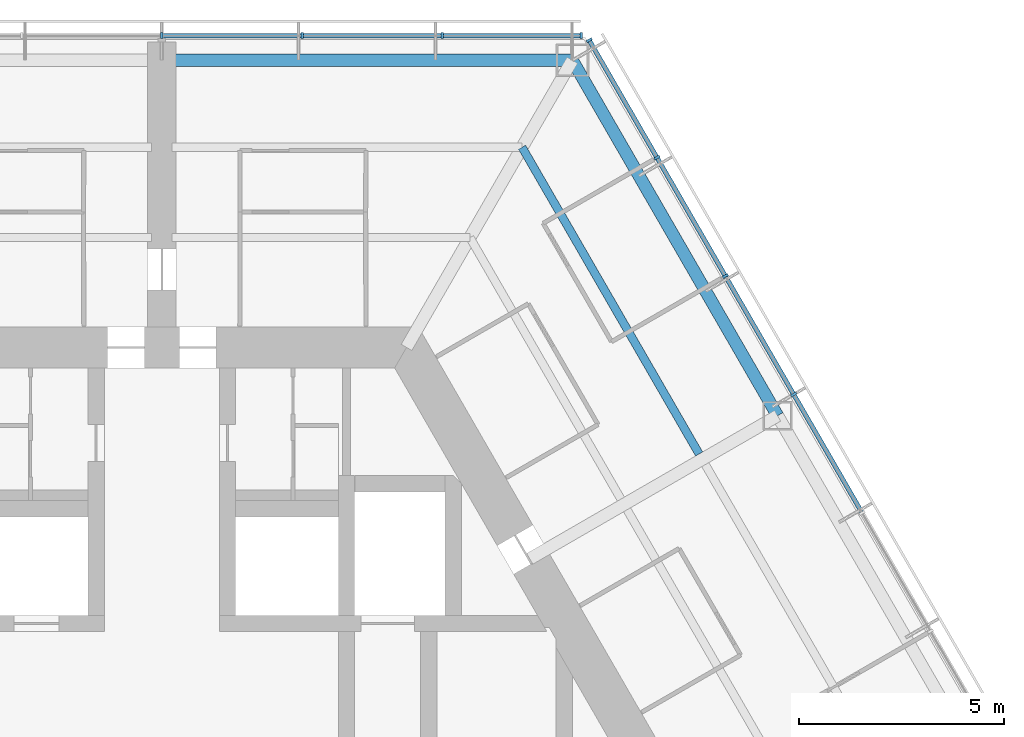
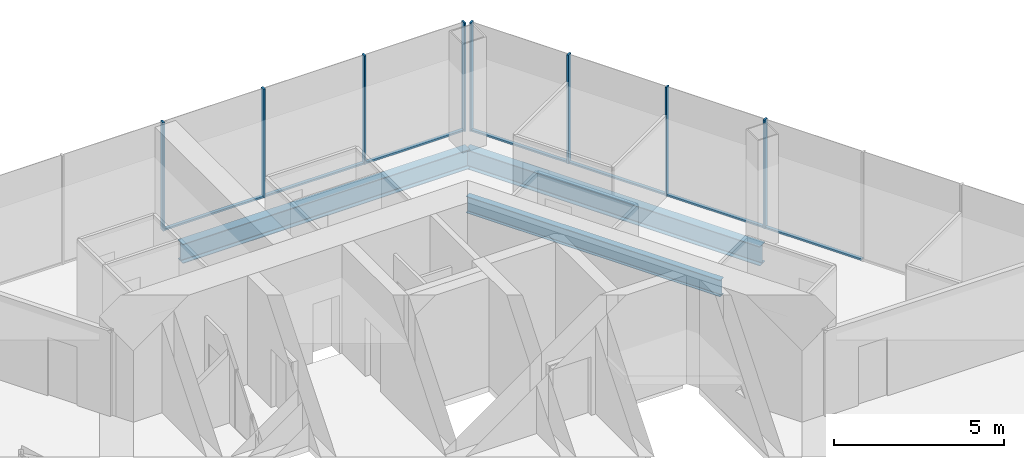
# One storey, part 8 of 19: 15 members, 3 beams, 2 elements without a shape of their own.
"""IFC4 building model written with IfcOpenShell, lengths in metres."""

from ifc_helpers import new_model, si_unit, direction, frame, origin, origin_2d, place, context, subcontext, project, spatial, rectangle, i_section, extrude, material, material_profile, profile_set, type_object, element, aggregate, save


model = new_model("IFC4")

# Units and contexts
model_context = context("Model", 3, precision=1e-05, world=origin(), true_north=direction((0.0, 1.0)))
body_context = subcontext(model_context, "Body", "Model", "MODEL_VIEW")
ifc_project = project(units=[si_unit("LENGTHUNIT", "METRE"), si_unit("AREAUNIT", "SQUARE_METRE"), si_unit("VOLUMEUNIT", "CUBIC_METRE"), si_unit("PLANEANGLEUNIT", "RADIAN"), si_unit("MASSUNIT", "GRAM", prefix="KILO")], contexts=[model_context])

# Site, building, storey
site_placement = place(None, origin())
site = spatial("IfcSite", under=ifc_project, at=site_placement, CompositionType="ELEMENT")
building_placement = place(site_placement, origin())
building = spatial("IfcBuilding", under=site, at=building_placement, Name="Kasaneha Research Tower", CompositionType="ELEMENT")
storey_placement = place(building_placement, frame((0.0, 0.0, 156.5)))
storey = spatial("IfcBuildingStorey", under=building, at=storey_placement, Name="L39", CompositionType="ELEMENT", Elevation=156.5)

# Beam
ifc_material_1 = material(Name="Steel SN490B", Category="steel")
ifc_material_profile_1 = material_profile(ifc_material_1, i_section(OverallWidth=0.199951171875, OverallDepth=0.60009765625, WebThickness=0.010986328125, FlangeThickness=0.01708984375, FilletRadius=0.012939453125, at=origin_2d()), Name="H-600x200x11x17")
ifc_profile_set_1 = profile_set([ifc_material_profile_1], Name="Steel SN490B")
beam_type_1 = type_object("IfcBeamType", Name="B1-3 secondary beam H-600x200x11x17", PredefinedType="JOIST", material=ifc_profile_set_1)
beam_1_placement = place(storey_placement, frame((8.775634765625, 15.199951171875, -0.449951171875), z_axis=(0.500017275495, -0.866015429543, 0.0), x_axis=(0.866015429543, 0.500017275495, 0.0)))
element("IfcBeam", 1, at=beam_1_placement, inside=storey, type_object=beam_type_1, Name="Secondary beam RS030R2 L39", PredefinedType="JOIST", context=body_context, shape_type="SweptSolid", body=[
    extrude(i_section(OverallWidth=0.199951171875, OverallDepth=0.60009765625, WebThickness=0.010986328125, FlangeThickness=0.01708984375, FilletRadius=0.012939453125, at=origin_2d()), origin(), (0.0, 0.0, 1.0), 8.625732421875),
])

# Curtain wall, members
ifc_material_2 = material(Name="Glass and aluminium", Category="aluminium")
curtain_wall_type = type_object("IfcCurtainWallType", Name="Mid-rise office curtain wall", PredefinedType="USERDEFINED", material=ifc_material_2)
curtain_wall_1_placement = place(storey_placement, origin())
curtain_wall_1 = element("IfcCurtainWall", 2, at=curtain_wall_1_placement, inside=storey, type_object=curtain_wall_type, Name="CW-O2 L39 run 06a", ObjectType="UNITISED CURTAIN WALL", PredefinedType="USERDEFINED")
ifc_material_3 = material(Name="Aluminium 6063-T6", Category="aluminium")
ifc_material_profile_2 = material_profile(ifc_material_3, rectangle(XDim=0.06005859375, YDim=0.14990234375, at=origin_2d()), Name="CW-O2 mullion 60x150")
ifc_profile_set_2 = profile_set([ifc_material_profile_2], Name="Aluminium 6063-T6")
member_type_1 = type_object("IfcMemberType", Name="CW-O2 mullion", PredefinedType="MULLION", material=ifc_profile_set_2)
member_1_placement = place(storey_placement, frame((15.392822265625, 9.179931640625, 0.0), z_axis=(0.0, 0.0, 1.0), x_axis=(-0.499999979232, 0.866025415775, 0.0)))
member_1 = element("IfcMember", 3, at=member_1_placement, type_object=member_type_1, Name="CW-O2 mullion 4", PredefinedType="MULLION", context=body_context, shape_type="SweptSolid", body=[
    extrude(rectangle(XDim=0.06005859375, YDim=0.14990234375, at=origin_2d()), origin(), (0.0, 0.0, 1.0), 3.89990234375),
])
member_2_placement = place(storey_placement, frame((13.727294921875, 12.064453125, 0.0), z_axis=(0.0, 0.0, 1.0), x_axis=(-0.499999979232, 0.866025415775, 0.0)))
member_2 = element("IfcMember", 4, at=member_2_placement, type_object=member_type_1, Name="CW-O2 mullion 5", PredefinedType="MULLION", context=body_context, shape_type="SweptSolid", body=[
    extrude(rectangle(XDim=0.06005859375, YDim=0.14990234375, at=origin_2d()), origin(), (0.0, 0.0, 1.0), 3.89990234375),
])
member_3_placement = place(storey_placement, frame((12.061767578125, 14.94921875, 0.0), z_axis=(0.0, 0.0, 1.0), x_axis=(-0.499999979232, 0.866025415775, 0.0)))
member_3 = element("IfcMember", 5, at=member_3_placement, type_object=member_type_1, Name="CW-O2 mullion 6", PredefinedType="MULLION", context=body_context, shape_type="SweptSolid", body=[
    extrude(rectangle(XDim=0.06005859375, YDim=0.14990234375, at=origin_2d()), origin(), (0.0, 0.0, 1.0), 3.89990234375),
])
member_4_placement = place(storey_placement, frame((10.411376953125, 17.807861328125, 0.0), z_axis=(0.0, 0.0, 1.0), x_axis=(-0.499999979232, 0.866025415775, 0.0)))
member_4 = element("IfcMember", 6, at=member_4_placement, type_object=member_type_1, Name="CW-O2 mullion 7", PredefinedType="MULLION", context=body_context, shape_type="SweptSolid", body=[
    extrude(rectangle(XDim=0.06005859375, YDim=0.14990234375, at=origin_2d()), origin(), (0.0, 0.0, 1.0), 3.89990234375),
])

curtain_wall_2_placement = place(storey_placement, origin())
curtain_wall_2 = element("IfcCurtainWall", 7, at=curtain_wall_2_placement, inside=storey, type_object=curtain_wall_type, Name="CW-O2 L39 run 07a", ObjectType="UNITISED CURTAIN WALL", PredefinedType="USERDEFINED")
member_5_placement = place(storey_placement, frame((10.21630859375, 17.92041015625, 0.0), z_axis=(0.0, 0.0, 1.0), x_axis=(-1.0, 0.0, 0.0)))
member_5 = element("IfcMember", 8, at=member_5_placement, type_object=member_type_1, Name="CW-O2 mullion 1", PredefinedType="MULLION", context=body_context, shape_type="SweptSolid", body=[
    extrude(rectangle(XDim=0.06005859375, YDim=0.14990234375, at=origin_2d()), origin(), (0.0, 0.0, 1.0), 3.89990234375),
])
member_6_placement = place(storey_placement, frame((6.8310546875, 17.92041015625, 0.0), z_axis=(0.0, 0.0, 1.0), x_axis=(-1.0, 0.0, 0.0)))
member_6 = element("IfcMember", 9, at=member_6_placement, type_object=member_type_1, Name="CW-O2 mullion 2", PredefinedType="MULLION", context=body_context, shape_type="SweptSolid", body=[
    extrude(rectangle(XDim=0.06005859375, YDim=0.14990234375, at=origin_2d()), origin(), (0.0, 0.0, 1.0), 3.89990234375),
])
member_7_placement = place(storey_placement, frame((3.41552734375, 17.92041015625, 0.0), z_axis=(0.0, 0.0, 1.0), x_axis=(-1.0, 0.0, 0.0)))
member_7 = element("IfcMember", 10, at=member_7_placement, type_object=member_type_1, Name="CW-O2 mullion 3", PredefinedType="MULLION", context=body_context, shape_type="SweptSolid", body=[
    extrude(rectangle(XDim=0.06005859375, YDim=0.14990234375, at=origin_2d()), origin(), (0.0, 0.0, 1.0), 3.89990234375),
])
member_8_placement = place(storey_placement, frame((0.0, 17.92041015625, 0.0), z_axis=(0.0, 0.0, 1.0), x_axis=(-1.0, 0.0, 0.0)))
member_8 = element("IfcMember", 11, at=member_8_placement, type_object=member_type_1, Name="CW-O2 mullion 4", PredefinedType="MULLION", context=body_context, shape_type="SweptSolid", body=[
    extrude(rectangle(XDim=0.06005859375, YDim=0.14990234375, at=origin_2d()), origin(), (0.0, 0.0, 1.0), 3.89990234375),
])

# Member
ifc_material_4 = material(Name="Aluminium 6063-T6", Category="aluminium")
ifc_material_profile_3 = material_profile(ifc_material_4, rectangle(XDim=0.110107421875, YDim=0.06005859375, at=origin_2d()), Name="CW-O2 transom 110x60")
ifc_profile_set_3 = profile_set([ifc_material_profile_3], Name="Aluminium 6063-T6")
member_type_2 = type_object("IfcMemberType", Name="CW-O2 transom", PredefinedType="USERDEFINED", material=ifc_profile_set_3)
member_9_placement = place(storey_placement, frame((17.043212890625, 6.3212890625, 0.030029296875), z_axis=(-0.50003259116, 0.866006586452, 0.0), x_axis=(-0.866006586452, -0.50003259116, 0.0)))
member_9 = element("IfcMember", 12, at=member_9_placement, type_object=member_type_2, Name="CW-O2 transom 3", ObjectType="TRANSOM", PredefinedType="USERDEFINED", context=body_context, shape_type="SweptSolid", body=[
    extrude(rectangle(XDim=0.110107421875, YDim=0.06005859375, at=origin_2d()), origin(), (0.0, 0.0, 1.0), 3.270751953125),
])

member_10_placement = place(storey_placement, frame((15.3779296875, 9.205810546875, 0.030029296875), z_axis=(-0.500000270186, 0.866025247793, 0.0), x_axis=(-0.866025247793, -0.500000270186, 0.0)))
member_10 = element("IfcMember", 13, at=member_10_placement, type_object=member_type_2, Name="CW-O2 transom 4", ObjectType="TRANSOM", PredefinedType="USERDEFINED", context=body_context, shape_type="SweptSolid", body=[
    extrude(rectangle(XDim=0.110107421875, YDim=0.06005859375, at=origin_2d()), origin(), (0.0, 0.0, 1.0), 3.27099609375),
])

member_11_placement = place(storey_placement, frame((13.71240234375, 12.090576171875, 0.030029296875), z_axis=(-0.500000270186, 0.866025247793, 0.0), x_axis=(-0.866025247793, -0.500000270186, 0.0)))
member_11 = element("IfcMember", 14, at=member_11_placement, type_object=member_type_2, Name="CW-O2 transom 5", ObjectType="TRANSOM", PredefinedType="USERDEFINED", context=body_context, shape_type="SweptSolid", body=[
    extrude(rectangle(XDim=0.110107421875, YDim=0.06005859375, at=origin_2d()), origin(), (0.0, 0.0, 1.0), 3.27099609375),
])

member_12_placement = place(storey_placement, frame((12.046875, 14.97509765625, 0.030029296875), z_axis=(-0.499955025697, 0.866051368154, 0.0), x_axis=(-0.866051368154, -0.499955025697, 0.0)))
member_12 = element("IfcMember", 15, at=member_12_placement, type_object=member_type_2, Name="CW-O2 transom 6", ObjectType="TRANSOM", PredefinedType="USERDEFINED", context=body_context, shape_type="SweptSolid", body=[
    extrude(rectangle(XDim=0.110107421875, YDim=0.06005859375, at=origin_2d()), origin(), (0.0, 0.0, 1.0), 3.240966796875),
])

aggregate(curtain_wall_1, [member_1, member_2, member_3, member_4, member_9, member_10, member_11, member_12])

member_13_placement = place(storey_placement, frame((10.1865234375, 17.92041015625, 0.030029296875), z_axis=(-1.0, 0.0, 0.0), x_axis=(0.0, -1.0, 0.0)))
member_13 = element("IfcMember", 16, at=member_13_placement, type_object=member_type_2, Name="CW-O2 transom 1", ObjectType="TRANSOM", PredefinedType="USERDEFINED", context=body_context, shape_type="SweptSolid", body=[
    extrude(rectangle(XDim=0.110107421875, YDim=0.06005859375, at=origin_2d()), origin(), (0.0, 0.0, 1.0), 3.32568359375),
])

member_14_placement = place(storey_placement, frame((6.801025390625, 17.92041015625, 0.030029296875), z_axis=(-1.0, 0.0, 0.0), x_axis=(0.0, -1.0, 0.0)))
member_14 = element("IfcMember", 17, at=member_14_placement, type_object=member_type_2, Name="CW-O2 transom 2", ObjectType="TRANSOM", PredefinedType="USERDEFINED", context=body_context, shape_type="SweptSolid", body=[
    extrude(rectangle(XDim=0.110107421875, YDim=0.06005859375, at=origin_2d()), origin(), (0.0, 0.0, 1.0), 3.35546875),
])

member_15_placement = place(storey_placement, frame((3.385498046875, 17.92041015625, 0.030029296875), z_axis=(-1.0, 0.0, 0.0), x_axis=(0.0, -1.0, 0.0)))
member_15 = element("IfcMember", 18, at=member_15_placement, type_object=member_type_2, Name="CW-O2 transom 3", ObjectType="TRANSOM", PredefinedType="USERDEFINED", context=body_context, shape_type="SweptSolid", body=[
    extrude(rectangle(XDim=0.110107421875, YDim=0.06005859375, at=origin_2d()), origin(), (0.0, 0.0, 1.0), 3.35546875),
])

aggregate(curtain_wall_2, [member_5, member_6, member_7, member_8, member_13, member_14, member_15])

# Beams
ifc_material_5 = material(Name="Steel SN490B", Category="steel")
ifc_material_profile_4 = material_profile(ifc_material_5, i_section(OverallWidth=0.300048828125, OverallDepth=0.69189453125, WebThickness=0.012939453125, FlangeThickness=0.02001953125, FilletRadius=0.01806640625, at=origin_2d()), Name="H-692x300x13x20")
ifc_profile_set_4 = profile_set([ifc_material_profile_4], Name="Steel SN490B")
beam_type_2 = type_object("IfcBeamType", Name="G3-3 plate edge girder H-692x300x13x20", PredefinedType="BEAM", material=ifc_profile_set_4)
beam_2_placement = place(storey_placement, frame((10.0, 17.320556640625, -0.49609375), z_axis=(-1.0, 0.0, 0.0), x_axis=(0.0, -1.0, 0.0)))
element("IfcBeam", 19, at=beam_2_placement, inside=storey, type_object=beam_type_2, Name="Plate edge girder PEAP L39", PredefinedType="BEAM", context=body_context, shape_type="SweptSolid", body=[
    extrude(i_section(OverallWidth=0.300048828125, OverallDepth=0.69189453125, WebThickness=0.012939453125, FlangeThickness=0.02001953125, FilletRadius=0.01806640625, at=origin_2d()), origin(), (0.0, 0.0, 1.0), 9.75),
])
ifc_material_6 = material(Name="Steel SN490B", Category="steel")
ifc_material_profile_5 = material_profile(ifc_material_6, i_section(OverallWidth=0.300048828125, OverallDepth=0.69189453125, WebThickness=0.012939453125, FlangeThickness=0.02001953125, FilletRadius=0.01806640625, at=origin_2d()), Name="H-692x300x13x20")
ifc_profile_set_5 = profile_set([ifc_material_profile_5], Name="Steel SN490B")
beam_type_3 = type_object("IfcBeamType", Name="SB1-3 spandrel beam H-692x300x13x20", PredefinedType="SPANDREL", material=ifc_profile_set_5)
beam_3_placement = place(storey_placement, frame((10.0, 17.320556640625, -0.49609375), z_axis=(0.499993662806, -0.866029062534, 0.0), x_axis=(0.866029062534, 0.499993662806, 0.0)))
element("IfcBeam", 20, at=beam_3_placement, inside=storey, type_object=beam_type_3, Name="Spandrel beam SR030R L39", PredefinedType="SPANDREL", context=body_context, shape_type="SweptSolid", body=[
    extrude(i_section(OverallWidth=0.300048828125, OverallDepth=0.69189453125, WebThickness=0.012939453125, FlangeThickness=0.02001953125, FilletRadius=0.01806640625, at=origin_2d()), origin(), (0.0, 0.0, 1.0), 10.000244140625),
])

save(model, "model.ifc")
